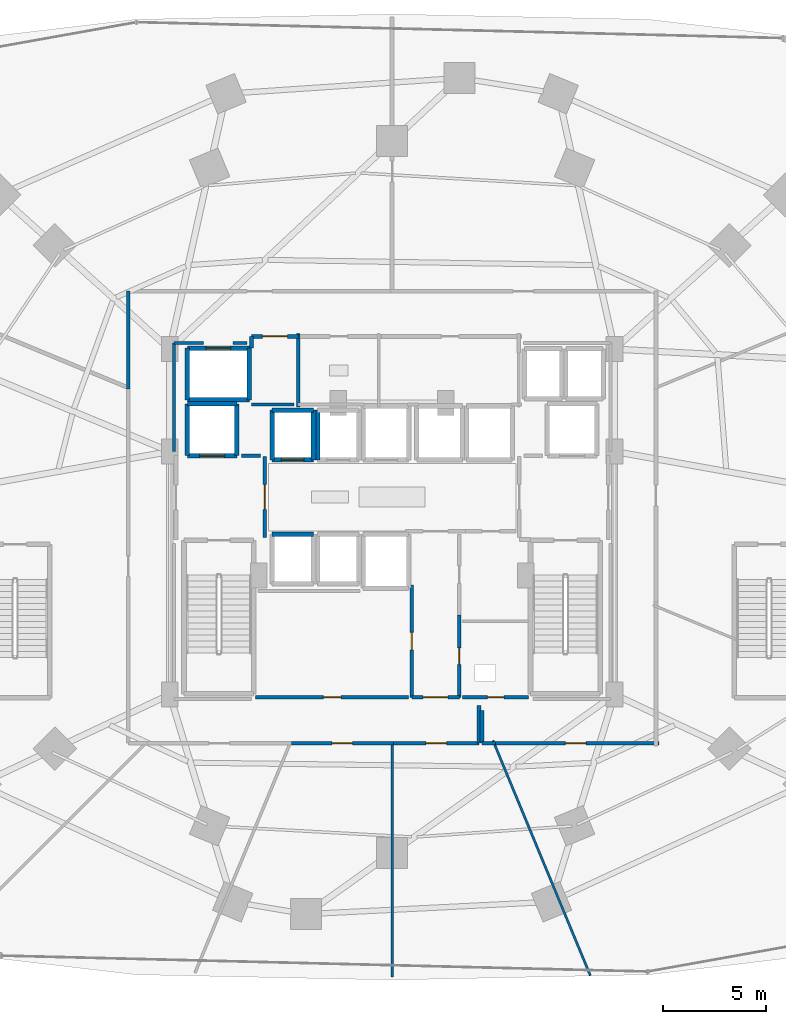
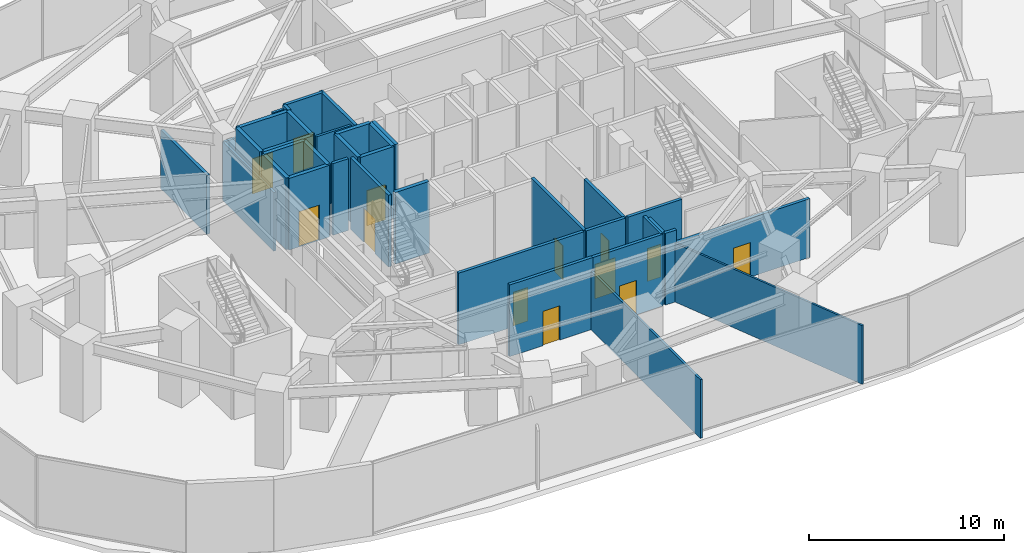
# One storey, part 22 of 27: 37 walls, 13 doors, 13 openings.
"""IFC4 building model written with IfcOpenShell, lengths in metres."""

import ifcopenshell
import ifcopenshell.guid

model = None  # the IFC model being written
_history = None  # IfcOwnerHistory: only IFC2X3 demands one
_inside = {}  # id of a spatial element -> (the spatial element, [elements in it])
_under = {}  # id of a project, library or spatial element -> (it, [spatial elements below it])
_declared = {}  # id of a project -> (the project, [libraries it declares])
_typed = {}  # id of a type object -> (the type object, [elements of that type])
_made_of = {}  # id of a material, layer set ... -> (it, [elements and type objects made of it])


def new_model(schema):
    """Start an empty IFC model of exactly this schema.

    Asked for "IFC4X3", IfcOpenShell would pick the latest addendum, in which some entities
    have other attributes; the version numbers below select the first issue.
    IFC2X3 requires an IfcOwnerHistory on every rooted entity: one is made here for all.
    """
    global model, _history
    if schema == "IFC4X3":
        model = ifcopenshell.file(schema_version=(4, 3, 0, 0))
    else:
        model = ifcopenshell.file(schema=schema)
    _inside.clear()
    _under.clear()
    _declared.clear()
    _typed.clear()
    _made_of.clear()
    _history = None
    if model.schema == "IFC2X3":
        org = make("IfcOrganization", Name="unknown")
        user = make(
            "IfcPersonAndOrganization",
            ThePerson=make("IfcPerson", FamilyName="unknown"),
            TheOrganization=org,
        )
        app = make(
            "IfcApplication",
            ApplicationDeveloper=org,
            Version="unknown",
            ApplicationFullName="unknown",
            ApplicationIdentifier="unknown",
        )
        _history = make(
            "IfcOwnerHistory",
            OwningUser=user,
            OwningApplication=app,
            ChangeAction="ADDED",
            CreationDate=0,
        )
    return model


def make(cls, **values):
    """One entity of the class cls with the attributes given. An attribute that is None is left unset."""
    return model.create_entity(
        cls, **{name: value for name, value in values.items() if value is not None}
    )


def rooted(cls, **values):
    """An entity with a GlobalId (a new one), such as an element, a storey or a relation."""
    return make(cls, GlobalId=ifcopenshell.guid.new(), OwnerHistory=_history, **values)


def si_unit(unit_type, name, prefix=None):
    """IfcSIUnit, for example si_unit("LENGTHUNIT", "METRE", prefix="MILLI")."""
    return make("IfcSIUnit", UnitType=unit_type, Prefix=prefix, Name=name)


def assignment(units):
    """IfcUnitAssignment: the units of a project."""
    return None if units is None else make("IfcUnitAssignment", Units=units)


def point(xyz):
    """IfcCartesianPoint."""
    return None if xyz is None else make("IfcCartesianPoint", Coordinates=xyz)


def direction(xyz):
    """IfcDirection."""
    return None if xyz is None else make("IfcDirection", DirectionRatios=xyz)


def frame(location, z_axis=None, x_axis=None):
    """IfcAxis2Placement3D, a coordinate frame: its origin and axes. An axis left out is left unset."""
    return make(
        "IfcAxis2Placement3D",
        Location=point(location),
        Axis=direction(z_axis),
        RefDirection=direction(x_axis),
    )


def frame_2d(location, x_axis=None):
    """IfcAxis2Placement2D, a coordinate frame in the plane: its origin and x axis."""
    return make(
        "IfcAxis2Placement2D", Location=point(location), RefDirection=direction(x_axis)
    )


def origin():
    """The frame at (0, 0, 0) with its axes left unset."""
    return frame((0.0, 0.0, 0.0))


def place(relative_to, where):
    """IfcLocalPlacement: puts the frame where relative to a parent placement (None: the world)."""
    return make(
        "IfcLocalPlacement", PlacementRelTo=relative_to, RelativePlacement=where
    )


def context(
    kind, dimensions, precision=None, world=None, true_north=None, identifier=None
):
    """IfcGeometricRepresentationContext, for example the 3D "Model" context."""
    return make(
        "IfcGeometricRepresentationContext",
        ContextIdentifier=identifier,
        ContextType=kind,
        CoordinateSpaceDimension=dimensions,
        Precision=precision,
        WorldCoordinateSystem=world,
        TrueNorth=true_north,
    )


def subcontext(parent, identifier, kind, view, scale=None):
    """IfcGeometricRepresentationSubContext, for example "Body" below "Model"."""
    return make(
        "IfcGeometricRepresentationSubContext",
        ContextIdentifier=identifier,
        ContextType=kind,
        ParentContext=parent,
        TargetScale=scale,
        TargetView=view,
    )


def project(units=None, contexts=None):
    """IfcProject with its units and contexts."""
    return rooted(
        "IfcProject",
        Name="project",
        RepresentationContexts=contexts,
        UnitsInContext=assignment(units),
    )


def spatial(cls, under=None, at=None, **own):
    """A site, building, storey or space (cls), placed at a placement, below another one or the project."""
    s = rooted(cls, ObjectPlacement=at, **own)
    if under is not None:
        _under.setdefault(under.id(), (under, []))[1].append(s)
    return s


def profile(cls, at=None, kind="AREA", **sizes):
    """A parametric profile (cls). Its sizes go by their IFC names, for example OverallWidth=200.0."""
    return make(cls, ProfileType=kind, Position=at, **sizes)


def rectangle(**sizes):
    """IfcRectangleProfileDef."""
    return profile("IfcRectangleProfileDef", **sizes)


def extrude(swept, where, along, depth):
    """IfcExtrudedAreaSolid: the profile swept, set in the frame where, extruded along a direction by depth."""
    return make(
        "IfcExtrudedAreaSolid",
        SweptArea=swept,
        Position=where,
        ExtrudedDirection=direction(along),
        Depth=depth,
    )


def shape(context_of_items, identifier, shape_type, items):
    """IfcShapeRepresentation: the items that make up one representation, for example the "Body"."""
    return make(
        "IfcShapeRepresentation",
        ContextOfItems=context_of_items,
        RepresentationIdentifier=identifier,
        RepresentationType=shape_type,
        Items=items,
    )


def material(Name=None, Category=None):
    """IfcMaterial."""
    return make("IfcMaterial", Name=Name, Category=Category)


def layer(
    of_material, thickness, ventilated=None, Name=None, Category=None, Priority=None
):
    """IfcMaterialLayer: one layer of a wall or slab, of a material (None: an air gap)."""
    return make(
        "IfcMaterialLayer",
        Material=of_material,
        LayerThickness=thickness,
        IsVentilated=ventilated,
        Name=Name,
        Category=Category,
        Priority=Priority,
    )


def layer_set(layers, Name=None):
    """IfcMaterialLayerSet."""
    return make("IfcMaterialLayerSet", MaterialLayers=layers, LayerSetName=Name)


def made_of(thing, what):
    """Note that an element or type object is made of a material, layer set ...; save() writes the relation."""
    if what is not None:
        _made_of.setdefault(what.id(), (what, []))[1].append(thing)
    return thing


def type_object(cls, material=None, **own):
    """A type object (cls), such as IfcWallType, which elements share."""
    return made_of(rooted(cls, **own), material)


def element(
    cls,
    number,
    at=None,
    inside=None,
    cuts=None,
    type_object=None,
    material=None,
    context=None,
    identifier="Body",
    shape_type=None,
    held_by="IfcProductDefinitionShape",
    body=None,
    shapes=None,
    **own,
):
    """One element of the class cls, such as IfcWall. Its Tag is "e" and its number.

    at: its placement. inside: the storey or other place that contains it. cuts: it is an
    opening in that element (IfcRelVoidsElement). A single representation is given by context,
    identifier, shape_type and body (its items); several are given by shapes. held_by: the class
    of the entity that holds the representations. save() writes the other relations.
    """
    e = rooted(cls, Tag="e%d" % number, ObjectPlacement=at, **own)
    if body is not None:
        shapes = [shape(context, identifier, shape_type, body)]
    if shapes is not None:
        e.Representation = make(held_by, Representations=shapes)
    if inside is not None:
        _inside.setdefault(inside.id(), (inside, []))[1].append(e)
    if cuts is not None:
        rooted(
            "IfcRelVoidsElement", RelatingBuildingElement=cuts, RelatedOpeningElement=e
        )
    if type_object is not None:
        _typed.setdefault(type_object.id(), (type_object, []))[1].append(e)
    return made_of(e, material)


def fill(opening, filler):
    """IfcRelFillsElement: the door or window that sits in an opening."""
    return rooted(
        "IfcRelFillsElement",
        RelatingOpeningElement=opening,
        RelatedBuildingElement=filler,
    )


def aggregate(whole, parts):
    """IfcRelAggregates: a whole, such as a stair, and the parts it consists of."""
    return rooted("IfcRelAggregates", RelatingObject=whole, RelatedObjects=parts)


def save(model, path):
    """Write the relations noted so far, then the file.

    IfcRelAggregates (storeys below a building ...), IfcRelContainedInSpatialStructure (elements
    in a storey), IfcRelDefinesByType, IfcRelAssociatesMaterial and IfcRelDeclares: one each for
    every whole, place, type object, material and project.
    """
    for whole, parts in _under.values():
        aggregate(whole, parts)
    for where, things in _inside.values():
        rooted(
            "IfcRelContainedInSpatialStructure",
            RelatedElements=things,
            RelatingStructure=where,
        )
    for kind, things in _typed.values():
        rooted("IfcRelDefinesByType", RelatedObjects=things, RelatingType=kind)
    for what, things in _made_of.values():
        rooted("IfcRelAssociatesMaterial", RelatedObjects=things, RelatingMaterial=what)
    for by, libraries in _declared.values():
        rooted("IfcRelDeclares", RelatingContext=by, RelatedDefinitions=libraries)
    model.write(path)


model = new_model("IFC4")

# Units and contexts
model_context = context("Model", 3, precision=1e-05, world=origin(), true_north=direction((0.0, 1.0)))
body_context = subcontext(model_context, "Body", "Model", "MODEL_VIEW")
ifc_project = project(units=[si_unit("LENGTHUNIT", "METRE"), si_unit("AREAUNIT", "SQUARE_METRE"), si_unit("VOLUMEUNIT", "CUBIC_METRE"), si_unit("PLANEANGLEUNIT", "RADIAN"), si_unit("MASSUNIT", "GRAM", prefix="KILO")], contexts=[model_context])

# Site, building, storey
site_placement = place(None, origin())
site = spatial("IfcSite", under=ifc_project, at=site_placement, CompositionType="ELEMENT")
building_placement = place(site_placement, origin())
building = spatial("IfcBuilding", under=site, at=building_placement, Name="Vorneva Point Tower", CompositionType="ELEMENT")
storey_placement = place(building_placement, frame((0.0, 0.0, 4.800048828125)))
storey = spatial("IfcBuildingStorey", under=building, at=storey_placement, Name="L01", CompositionType="ELEMENT", Elevation=4.800048828125)

# Wall, opening, door
ifc_material_1 = material(Name="Concrete B60 (C50/60)", Category="concrete")
ifc_layer_1 = layer(ifc_material_1, 0.5)
ifc_layer_set_1 = layer_set([ifc_layer_1], Name="Concrete B60 (C50/60)")
wall_type_1 = type_object("IfcWallType", Name="WL-CORE-500", PredefinedType="SHEAR", material=ifc_layer_set_1)
wall_1_placement = place(storey_placement, frame((28.10009765625, 28.0, 0.0), z_axis=(0.0, 0.0, 1.0), x_axis=(1.0, 0.0, 0.0)))
wall_1 = element("IfcWall", 1, at=wall_1_placement, inside=storey, type_object=wall_type_1, Name="L01 Lift FFL1 Shaft Wall -Y", PredefinedType="SHEAR", context=body_context, shape_type="SweptSolid", body=[
    extrude(rectangle(XDim=2.39990234375, YDim=0.219970703125, at=frame_2d((1.199951171875, 0.0))), origin(), (0.0, 0.0, 1.0), 4.47998046875),
])
opening_1_placement = place(wall_1_placement, frame((0.60009765625, 0.0, 0.0)))
opening_1 = element("IfcOpeningElement", 2, at=opening_1_placement, cuts=wall_1, Name="Opening LD-02", PredefinedType="OPENING", context=body_context, shape_type="SweptSolid", body=[
    extrude(rectangle(XDim=1.199951171875, YDim=2.199951171875, at=frame_2d((0.60009765625, 1.10009765625))), frame((0.0, 0.125, 0.0), z_axis=(0.0, -1.0, 0.0), x_axis=(1.0, 0.0, 0.0)), (0.0, 0.0, 1.0), 0.249755859375),
])
ifc_material_2 = material(Name="Brushed stainless steel S304", Category="steel")
door_type_1 = type_object("IfcDoorType", Name="LD-FIRE-1200", OperationType="SLIDING_TO_LEFT", PredefinedType="DOOR", material=ifc_material_2)
door_1_placement = place(opening_1_placement, origin())
door_1 = element("IfcDoor", 3, at=door_1_placement, inside=storey, type_object=door_type_1, Name="L01 Lift FFL1 Sliding Landing Door", OperationType="SLIDING_TO_LEFT", OverallHeight=2.199951171875, OverallWidth=1.199951171875, PredefinedType="DOOR", context=body_context, shape_type="SweptSolid", body=[
    extrude(rectangle(XDim=1.199951171875, YDim=2.199951171875, at=frame_2d((0.60009765625, 1.10009765625))), frame((0.0, 0.02490234375, 0.0), z_axis=(0.0, -1.0, 0.0), x_axis=(1.0, 0.0, 0.0)), (0.0, 0.0, 1.0), 0.050048828125),
])
fill(opening_1, door_1)

# Walls
wall_2_placement = place(storey_placement, frame((30.5, 28.0, 0.0), z_axis=(0.0, 0.0, 1.0), x_axis=(0.0, 1.0, 0.0)))
element("IfcWall", 4, at=wall_2_placement, inside=storey, type_object=wall_type_1, Name="L01 Lift FFL1 Shaft Wall +X", PredefinedType="SHEAR", context=body_context, shape_type="SweptSolid", body=[
    extrude(rectangle(XDim=2.5, YDim=0.219970703125, at=frame_2d((1.25, 0.0))), origin(), (0.0, 0.0, 1.0), 4.47998046875),
])
wall_3_placement = place(storey_placement, frame((30.5, 30.5, 0.0), z_axis=(0.0, 0.0, 1.0), x_axis=(-1.0, 0.0, 0.0)))
element("IfcWall", 5, at=wall_3_placement, inside=storey, type_object=wall_type_1, Name="L01 Lift FFL1 Shaft Wall +Y", PredefinedType="SHEAR", context=body_context, shape_type="SweptSolid", body=[
    extrude(rectangle(XDim=2.39990234375, YDim=0.219970703125, at=frame_2d((1.199951171875, 0.0))), origin(), (0.0, 0.0, 1.0), 4.47998046875),
])
wall_4_placement = place(storey_placement, frame((28.10009765625, 30.5, 0.0), z_axis=(0.0, 0.0, 1.0), x_axis=(0.0, -1.0, 0.0)))
element("IfcWall", 6, at=wall_4_placement, inside=storey, type_object=wall_type_1, Name="L01 Lift FFL1 Shaft Wall -X", PredefinedType="SHEAR", context=body_context, shape_type="SweptSolid", body=[
    extrude(rectangle(XDim=2.5, YDim=0.219970703125, at=frame_2d((1.25, 0.0))), origin(), (0.0, 0.0, 1.0), 4.47998046875),
])
ifc_material_3 = material(Name="Fire-rated acoustic gypsum stud partition", Category="gypsum")
ifc_layer_2 = layer(ifc_material_3, 0.110107421875)
ifc_layer_set_2 = layer_set([ifc_layer_2], Name="Fire-rated acoustic gypsum stud partition")
wall_type_2 = type_object("IfcWallType", Name="WL-PART-110", PredefinedType="PARTITIONING", material=ifc_layer_set_2)
wall_5_placement = place(storey_placement, frame((47.58056640625, 2.87158203125, 0.0), z_axis=(0.0, 0.0, 1.0), x_axis=(-0.382723619964, 0.923862885239, 0.0)))
element("IfcWall", 7, at=wall_5_placement, inside=storey, type_object=wall_type_2, Name="L01 Interior Partition 043", PredefinedType="PARTITIONING", context=body_context, shape_type="SweptSolid", body=[
    extrude(rectangle(XDim=12.293701171875, YDim=0.110107421875, at=frame_2d((6.14697265625, 0.0))), origin(), (0.0, 0.0, 1.0), 3.671875),
])
ifc_layer_3 = layer(ifc_material_3, 0.125)
ifc_layer_set_3 = layer_set([ifc_layer_3], Name="Fire-rated acoustic gypsum stud partition")
wall_type_3 = type_object("IfcWallType", Name="WL-PART-125", PredefinedType="PARTITIONING", material=ifc_layer_set_3)
wall_6_placement = place(storey_placement, frame((38.0, 2.805908203125, 0.0), z_axis=(0.0, 0.0, 1.0), x_axis=(0.0, 1.0, 0.0)))
element("IfcWall", 8, at=wall_6_placement, inside=storey, type_object=wall_type_3, Name="L01 Interior Partition 042", PredefinedType="PARTITIONING", context=body_context, shape_type="SweptSolid", body=[
    extrude(rectangle(XDim=11.294189453125, YDim=0.125, at=frame_2d((5.64697265625, 0.0))), origin(), (0.0, 0.0, 1.0), 3.671875),
])
ifc_layer_4 = layer(ifc_material_3, 0.139892578125)
ifc_layer_set_4 = layer_set([ifc_layer_4], Name="Fire-rated acoustic gypsum stud partition")
wall_type_4 = type_object("IfcWallType", Name="WL-PART-140", PredefinedType="PARTITIONING", material=ifc_layer_set_4)
wall_7_placement = place(storey_placement, frame((31.199951171875, 30.47998046875, 0.0), z_axis=(0.0, 0.0, 1.0), x_axis=(1.0, 0.0, 0.0)))
element("IfcWall", 9, at=wall_7_placement, inside=storey, type_object=wall_type_4, Name="L01 Interior Closure Partition 048", PredefinedType="PARTITIONING", context=body_context, shape_type="SweptSolid", body=[
    extrude(rectangle(XDim=2.050048828125, YDim=0.139892578125, at=frame_2d((1.02490234375, 0.0))), origin(), (0.0, 0.0, 1.0), 4.47998046875),
])
wall_8_placement = place(storey_placement, frame((27.449951171875, 28.196044921875, 0.0), z_axis=(0.0, 0.0, 1.0), x_axis=(0.0, 1.0, 0.0)))
element("IfcWall", 10, at=wall_8_placement, inside=storey, type_object=wall_type_4, Name="L01 Interior Closure Partition 060", PredefinedType="PARTITIONING", context=body_context, shape_type="SweptSolid", body=[
    extrude(rectangle(XDim=5.25390625, YDim=0.139892578125, at=frame_2d((2.626953125, 0.0))), origin(), (0.0, 0.0, 1.0), 3.671875),
])
wall_9_placement = place(storey_placement, frame((27.449951171875, 33.449951171875, 0.0), z_axis=(0.0, 0.0, 1.0), x_axis=(1.0, 0.0, 0.0)))
element("IfcWall", 11, at=wall_9_placement, inside=storey, type_object=wall_type_4, Name="L01 Interior Closure Partition 061", PredefinedType="PARTITIONING", context=body_context, shape_type="SweptSolid", body=[
    extrude(rectangle(XDim=1.444091796875, YDim=0.139892578125, at=frame_2d((0.72216796875, 0.0))), origin(), (0.0, 0.0, 1.0), 3.671875),
])
wall_10_placement = place(storey_placement, frame((30.305908203125, 33.449951171875, 0.0), z_axis=(0.0, 0.0, 1.0), x_axis=(1.0, 0.0, 0.0)))
element("IfcWall", 12, at=wall_10_placement, inside=storey, type_object=wall_type_4, Name="L01 Interior Closure Partition 062", PredefinedType="PARTITIONING", context=body_context, shape_type="SweptSolid", body=[
    extrude(rectangle(XDim=0.674072265625, YDim=0.139892578125, at=frame_2d((0.3369140625, 0.0))), origin(), (0.0, 0.0, 1.0), 4.47998046875),
])

# Wall, opening, door
ifc_material_4 = material(Name="Autoclaved aerated concrete blockwork", Category="masonry")
ifc_layer_5 = layer(ifc_material_4, 0.179931640625)
ifc_layer_set_5 = layer_set([ifc_layer_5], Name="Autoclaved aerated concrete blockwork")
wall_type_5 = type_object("IfcWallType", Name="WL-PART-180", PredefinedType="PARTITIONING", material=ifc_layer_set_5)
wall_11_placement = place(storey_placement, frame((31.85009765625, 24.044921875, 0.0), z_axis=(0.0, 0.0, 1.0), x_axis=(0.0, 1.0, 0.0)))
wall_11 = element("IfcWall", 13, at=wall_11_placement, inside=storey, type_object=wall_type_5, Name="L01 Interior Partition 001", PredefinedType="PARTITIONING", context=body_context, shape_type="SweptSolid", body=[
    extrude(rectangle(XDim=3.91015625, YDim=0.179931640625, at=frame_2d((1.955078125, 0.0))), origin(), (0.0, 0.0, 1.0), 4.47998046875),
])
opening_2_placement = place(wall_11_placement, frame((1.35498046875, 0.0, 0.0)))
opening_2 = element("IfcOpeningElement", 14, at=opening_2_placement, cuts=wall_11, Name="Opening FD-02", PredefinedType="OPENING", context=body_context, shape_type="SweptSolid", body=[
    extrude(rectangle(XDim=1.199951171875, YDim=2.14990234375, at=frame_2d((0.60009765625, 1.074951171875))), frame((0.0, 0.10498046875, 0.0), z_axis=(0.0, -1.0, 0.0), x_axis=(1.0, 0.0, 0.0)), (0.0, 0.0, 1.0), 0.209716796875),
])
ifc_material_5 = material(Name="Fire-rated powder-coated steel", Category="steel")
door_type_2 = type_object("IfcDoorType", Name="DR-FFL-1200", OperationType="NOTDEFINED", PredefinedType="DOOR", material=ifc_material_5)
door_2_placement = place(opening_2_placement, origin())
door_2 = element("IfcDoor", 15, at=door_2_placement, inside=storey, type_object=door_type_2, Name="L01 Door West Firefighting Lobby / Central Lift Lobby", OperationType="SINGLE_SWING_RIGHT", OverallHeight=2.14990234375, OverallWidth=1.199951171875, PredefinedType="DOOR", context=body_context, shape_type="SweptSolid", body=[
    extrude(rectangle(XDim=1.199951171875, YDim=2.14990234375, at=frame_2d((0.60009765625, 1.074951171875))), frame((0.0, 0.02490234375, 0.0), z_axis=(0.0, -1.0, 0.0), x_axis=(1.0, 0.0, 0.0)), (0.0, 0.0, 1.0), 0.050048828125),
])
fill(opening_2, door_2)

# Wall
wall_12_placement = place(storey_placement, frame((33.469970703125, 30.340087890625, 0.0), z_axis=(0.0, 0.0, 1.0), x_axis=(0.0, 1.0, 0.0)))
element("IfcWall", 16, at=wall_12_placement, inside=storey, type_object=wall_type_5, Name="L01 Interior Partition 006", PredefinedType="PARTITIONING", context=body_context, shape_type="SweptSolid", body=[
    extrude(rectangle(XDim=3.559814453125, YDim=0.179931640625, at=frame_2d((1.77978515625, 0.0))), origin(), (0.0, 0.0, 1.0), 4.47998046875),
])

# Wall, opening, door
wall_13_placement = place(storey_placement, frame((33.469970703125, 33.760009765625, 0.0), z_axis=(0.0, 0.0, 1.0), x_axis=(-1.0, 0.0, 0.0)))
wall_13 = element("IfcWall", 17, at=wall_13_placement, inside=storey, type_object=wall_type_5, Name="L01 Interior Partition 007", PredefinedType="PARTITIONING", context=body_context, shape_type="SweptSolid", body=[
    extrude(rectangle(XDim=2.27001953125, YDim=0.179931640625, at=frame_2d((1.135009765625, 0.0))), origin(), (0.0, 0.0, 1.0), 4.47998046875),
])
opening_3_placement = place(wall_13_placement, frame((0.534912109375, 0.0, 0.0)))
opening_3 = element("IfcOpeningElement", 18, at=opening_3_placement, cuts=wall_13, Name="Opening FD-02", PredefinedType="OPENING", context=body_context, shape_type="SweptSolid", body=[
    extrude(rectangle(XDim=1.199951171875, YDim=2.14990234375, at=frame_2d((0.60009765625, 1.074951171875))), frame((0.0, 0.10498046875, 0.0), z_axis=(0.0, -1.0, 0.0), x_axis=(1.0, 0.0, 0.0)), (0.0, 0.0, 1.0), 0.209716796875),
])
door_3_placement = place(opening_3_placement, origin())
door_3 = element("IfcDoor", 19, at=door_3_placement, inside=storey, type_object=door_type_2, Name="L01 Door Service Lift Lobby / L01 Circulation Corridor", OperationType="SINGLE_SWING_RIGHT", OverallHeight=2.14990234375, OverallWidth=1.199951171875, PredefinedType="DOOR", context=body_context, shape_type="SweptSolid", body=[
    extrude(rectangle(XDim=1.199951171875, YDim=2.14990234375, at=frame_2d((0.60009765625, 1.074951171875))), frame((0.0, 0.02490234375, 0.0), z_axis=(0.0, -1.0, 0.0), x_axis=(1.0, 0.0, 0.0)), (0.0, 0.0, 1.0), 0.050048828125),
])
fill(opening_3, door_3)

# Wall
wall_14_placement = place(storey_placement, frame((31.199951171875, 33.760009765625, 0.0), z_axis=(0.0, 0.0, 1.0), x_axis=(0.0, -1.0, 0.0)))
element("IfcWall", 20, at=wall_14_placement, inside=storey, type_object=wall_type_5, Name="L01 Interior Partition 008", PredefinedType="PARTITIONING", context=body_context, shape_type="SweptSolid", body=[
    extrude(rectangle(XDim=0.56005859375, YDim=0.179931640625, at=frame_2d((0.280029296875, 0.0))), origin(), (0.0, 0.0, 1.0), 4.47998046875),
])

# Wall, opening, door
wall_15_placement = place(storey_placement, frame((41.25, 16.320068359375, 0.0), z_axis=(0.0, 0.0, 1.0), x_axis=(0.0, 1.0, 0.0)))
wall_15 = element("IfcWall", 21, at=wall_15_placement, inside=storey, type_object=wall_type_5, Name="L01 Interior Partition 011", PredefinedType="PARTITIONING", context=body_context, shape_type="SweptSolid", body=[
    extrude(rectangle(XDim=3.98486328125, YDim=0.179931640625, at=frame_2d((1.992431640625, 0.0))), origin(), (0.0, 0.0, 1.0), 4.47998046875),
])
opening_4_placement = place(wall_15_placement, frame((1.592529296875, 0.0, 0.0)))
opening_4 = element("IfcOpeningElement", 22, at=opening_4_placement, cuts=wall_15, Name="Opening RD-01", PredefinedType="OPENING", context=body_context, shape_type="SweptSolid", body=[
    extrude(rectangle(XDim=0.800048828125, YDim=2.050048828125, at=frame_2d((0.39990234375, 1.02490234375))), frame((0.0, 0.10498046875, 0.0), z_axis=(0.0, -1.0, 0.0), x_axis=(1.0, 0.0, 0.0)), (0.0, 0.0, 1.0), 0.209716796875),
])
door_type_3 = type_object("IfcDoorType", Name="DR-RSR-800", OperationType="SINGLE_SWING_LEFT", PredefinedType="DOOR", material=ifc_material_5)
door_4_placement = place(opening_4_placement, origin())
door_4 = element("IfcDoor", 23, at=door_4_placement, inside=storey, type_object=door_type_3, Name="L01 Door Core Service Lobby / Electrical Riser", OperationType="SINGLE_SWING_LEFT", OverallHeight=2.050048828125, OverallWidth=0.800048828125, PredefinedType="DOOR", context=body_context, shape_type="SweptSolid", body=[
    extrude(rectangle(XDim=0.800048828125, YDim=2.050048828125, at=frame_2d((0.39990234375, 1.02490234375))), frame((0.0, 0.02490234375, 0.0), z_axis=(0.0, -1.0, 0.0), x_axis=(1.0, 0.0, 0.0)), (0.0, 0.0, 1.0), 0.050048828125),
])
fill(opening_4, door_4)

wall_16_placement = place(storey_placement, frame((38.949951171875, 21.7548828125, 0.0), z_axis=(0.0, 0.0, 1.0), x_axis=(0.0, -1.0, 0.0)))
wall_16 = element("IfcWall", 24, at=wall_16_placement, inside=storey, type_object=wall_type_5, Name="L01 Interior Partition 013", PredefinedType="PARTITIONING", context=body_context, shape_type="SweptSolid", body=[
    extrude(rectangle(XDim=5.434814453125, YDim=0.179931640625, at=frame_2d((2.71728515625, 0.0))), origin(), (0.0, 0.0, 1.0), 4.47998046875),
])
opening_5_placement = place(wall_16_placement, frame((2.29248046875, 0.0, 0.0)))
opening_5 = element("IfcOpeningElement", 25, at=opening_5_placement, cuts=wall_16, Name="Opening ID-02", PredefinedType="OPENING", context=body_context, shape_type="SweptSolid", body=[
    extrude(rectangle(XDim=0.85009765625, YDim=2.10009765625, at=frame_2d((0.425048828125, 1.050048828125))), frame((0.0, 0.10498046875, 0.0), z_axis=(0.0, -1.0, 0.0), x_axis=(1.0, 0.0, 0.0)), (0.0, 0.0, 1.0), 0.209716796875),
])
ifc_material_6 = material(Name="Engineered oak fire-rated door leaf", Category="wood")
door_type_4 = type_object("IfcDoorType", Name="DR-BATH-850", OperationType="NOTDEFINED", PredefinedType="DOOR", material=ifc_material_6)
door_5_placement = place(opening_5_placement, origin())
door_5 = element("IfcDoor", 26, at=door_5_placement, inside=storey, type_object=door_type_4, Name="L01 Door Core Service Lobby / Floor Storage Room", OperationType="SINGLE_SWING_LEFT", OverallHeight=2.10009765625, OverallWidth=0.85009765625, PredefinedType="DOOR", context=body_context, shape_type="SweptSolid", body=[
    extrude(rectangle(XDim=0.85009765625, YDim=2.10009765625, at=frame_2d((0.425048828125, 1.050048828125))), frame((0.0, 0.02490234375, 0.0), z_axis=(0.0, -1.0, 0.0), x_axis=(1.0, 0.0, 0.0)), (0.0, 0.0, 1.0), 0.050048828125),
])
fill(opening_5, door_5)

wall_17_placement = place(storey_placement, frame((38.949951171875, 16.320068359375, 0.0), z_axis=(0.0, 0.0, 1.0), x_axis=(1.0, 0.0, 0.0)))
wall_17 = element("IfcWall", 27, at=wall_17_placement, inside=storey, type_object=wall_type_5, Name="L01 Interior Partition 014", PredefinedType="PARTITIONING", context=body_context, shape_type="SweptSolid", body=[
    extrude(rectangle(XDim=2.300048828125, YDim=0.179931640625, at=frame_2d((1.14990234375, 0.0))), origin(), (0.0, 0.0, 1.0), 4.47998046875),
])
opening_6_placement = place(wall_17_placement, frame((0.550048828125, 0.0, 0.0)))
opening_6 = element("IfcOpeningElement", 28, at=opening_6_placement, cuts=wall_17, Name="Opening FD-02", PredefinedType="OPENING", context=body_context, shape_type="SweptSolid", body=[
    extrude(rectangle(XDim=1.199951171875, YDim=2.14990234375, at=frame_2d((0.60009765625, 1.074951171875))), frame((0.0, 0.10498046875, 0.0), z_axis=(0.0, -1.0, 0.0), x_axis=(1.0, 0.0, 0.0)), (0.0, 0.0, 1.0), 0.209716796875),
])
door_6_placement = place(opening_6_placement, origin())
door_6 = element("IfcDoor", 29, at=door_6_placement, inside=storey, type_object=door_type_2, Name="L01 Door Core Service Lobby / L01 Circulation Corridor", OperationType="SINGLE_SWING_RIGHT", OverallHeight=2.14990234375, OverallWidth=1.199951171875, PredefinedType="DOOR", context=body_context, shape_type="SweptSolid", body=[
    extrude(rectangle(XDim=1.199951171875, YDim=2.14990234375, at=frame_2d((0.60009765625, 1.074951171875))), frame((0.0, 0.02490234375, 0.0), z_axis=(0.0, -1.0, 0.0), x_axis=(1.0, 0.0, 0.0)), (0.0, 0.0, 1.0), 0.050048828125),
])
fill(opening_6, door_6)

wall_18_placement = place(storey_placement, frame((41.39990234375, 16.320068359375, 0.0), z_axis=(0.0, 0.0, 1.0), x_axis=(1.0, 0.0, 0.0)))
wall_18 = element("IfcWall", 30, at=wall_18_placement, inside=storey, type_object=wall_type_5, Name="L01 Interior Partition 016", PredefinedType="PARTITIONING", context=body_context, shape_type="SweptSolid", body=[
    extrude(rectangle(XDim=3.2001953125, YDim=0.179931640625, at=frame_2d((1.60009765625, 0.0))), origin(), (0.0, 0.0, 1.0), 4.47998046875),
])
opening_7_placement = place(wall_18_placement, frame((1.199951171875, 0.0, 0.0)))
opening_7 = element("IfcOpeningElement", 31, at=opening_7_placement, cuts=wall_18, Name="Opening RD-01", PredefinedType="OPENING", context=body_context, shape_type="SweptSolid", body=[
    extrude(rectangle(XDim=0.800048828125, YDim=2.050048828125, at=frame_2d((0.39990234375, 1.02490234375))), frame((0.0, 0.10498046875, 0.0), z_axis=(0.0, -1.0, 0.0), x_axis=(1.0, 0.0, 0.0)), (0.0, 0.0, 1.0), 0.209716796875),
])
door_7_placement = place(opening_7_placement, origin())
door_7 = element("IfcDoor", 32, at=door_7_placement, inside=storey, type_object=door_type_3, Name="L01 Door Electrical Riser / L01 Circulation Corridor", OperationType="SINGLE_SWING_LEFT", OverallHeight=2.050048828125, OverallWidth=0.800048828125, PredefinedType="DOOR", context=body_context, shape_type="SweptSolid", body=[
    extrude(rectangle(XDim=0.800048828125, YDim=2.050048828125, at=frame_2d((0.39990234375, 1.02490234375))), frame((0.0, 0.02490234375, 0.0), z_axis=(0.0, -1.0, 0.0), x_axis=(1.0, 0.0, 0.0)), (0.0, 0.0, 1.0), 0.050048828125),
])
fill(opening_7, door_7)

wall_19_placement = place(storey_placement, frame((31.39990234375, 16.320068359375, 0.0), z_axis=(0.0, 0.0, 1.0), x_axis=(1.0, 0.0, 0.0)))
wall_19 = element("IfcWall", 33, at=wall_19_placement, inside=storey, type_object=wall_type_5, Name="L01 Interior Partition 021", PredefinedType="PARTITIONING", context=body_context, shape_type="SweptSolid", body=[
    extrude(rectangle(XDim=7.400146484375, YDim=0.179931640625, at=frame_2d((3.7001953125, 0.0))), origin(), (0.0, 0.0, 1.0), 4.47998046875),
])
opening_8_placement = place(wall_19_placement, frame((3.27490234375, 0.0, 0.0)))
opening_8 = element("IfcOpeningElement", 34, at=opening_8_placement, cuts=wall_19, Name="Opening ID-02", PredefinedType="OPENING", context=body_context, shape_type="SweptSolid", body=[
    extrude(rectangle(XDim=0.85009765625, YDim=2.10009765625, at=frame_2d((0.425048828125, 1.050048828125))), frame((0.0, 0.10498046875, 0.0), z_axis=(0.0, -1.0, 0.0), x_axis=(1.0, 0.0, 0.0)), (0.0, 0.0, 1.0), 0.209716796875),
])
door_8_placement = place(opening_8_placement, origin())
door_8 = element("IfcDoor", 35, at=door_8_placement, inside=storey, type_object=door_type_4, Name="L01 Door Floor Storage Room / L01 Circulation Corridor", OperationType="SINGLE_SWING_RIGHT", OverallHeight=2.10009765625, OverallWidth=0.85009765625, PredefinedType="DOOR", context=body_context, shape_type="SweptSolid", body=[
    extrude(rectangle(XDim=0.85009765625, YDim=2.10009765625, at=frame_2d((0.425048828125, 1.050048828125))), frame((0.0, 0.02490234375, 0.0), z_axis=(0.0, -1.0, 0.0), x_axis=(1.0, 0.0, 0.0)), (0.0, 0.0, 1.0), 0.050048828125),
])
fill(opening_8, door_8)

# Wall
wall_20_placement = place(storey_placement, frame((25.25, 35.949951171875, 0.0), z_axis=(0.0, 0.0, 1.0), x_axis=(0.0, -1.0, 0.0)))
element("IfcWall", 36, at=wall_20_placement, inside=storey, type_object=wall_type_5, Name="L01 Interior Partition 025", PredefinedType="PARTITIONING", context=body_context, shape_type="SweptSolid", body=[
    extrude(rectangle(XDim=4.72900390625, YDim=0.179931640625, at=frame_2d((2.364501953125, 0.0))), origin(), (0.0, 0.0, 1.0), 3.671875),
])

# Wall, opening, door
wall_21_placement = place(storey_placement, frame((33.131103515625, 14.10009765625, 0.0), z_axis=(0.0, 0.0, 1.0), x_axis=(1.0, 0.0, 0.0)))
wall_21 = element("IfcWall", 37, at=wall_21_placement, inside=storey, type_object=wall_type_5, Name="L01 Interior Partition 029", PredefinedType="PARTITIONING", context=body_context, shape_type="SweptSolid", body=[
    extrude(rectangle(XDim=4.928955078125, YDim=0.179931640625, at=frame_2d((2.46435546875, 0.0))), origin(), (0.0, 0.0, 1.0), 4.47998046875),
])
opening_9_placement = place(wall_21_placement, frame((1.964599609375, 0.0, 0.0)))
opening_9 = element("IfcOpeningElement", 38, at=opening_9_placement, cuts=wall_21, Name="Opening UD-01", PredefinedType="OPENING", context=body_context, shape_type="SweptSolid", body=[
    extrude(rectangle(XDim=1.0, YDim=2.14990234375, at=frame_2d((0.5, 1.074951171875))), frame((0.0, 0.10498046875, 0.0), z_axis=(0.0, -1.0, 0.0), x_axis=(1.0, 0.0, 0.0)), (0.0, 0.0, 1.0), 0.209716796875),
])
door_type_5 = type_object("IfcDoorType", Name="DR-UNIT-1000", OperationType="NOTDEFINED", PredefinedType="DOOR", material=ifc_material_6)
door_9_placement = place(opening_9_placement, origin())
door_9 = element("IfcDoor", 39, at=door_9_placement, inside=storey, type_object=door_type_5, Name="L01 Door L01 Circulation Corridor / Harbour Restaurant L01", OperationType="SINGLE_SWING_LEFT", OverallHeight=2.14990234375, OverallWidth=1.0, PredefinedType="DOOR", context=body_context, shape_type="SweptSolid", body=[
    extrude(rectangle(XDim=1.0, YDim=2.14990234375, at=frame_2d((0.5, 1.074951171875))), frame((0.0, 0.02490234375, 0.0), z_axis=(0.0, -1.0, 0.0), x_axis=(1.0, 0.0, 0.0)), (0.0, 0.0, 1.0), 0.050048828125),
])
fill(opening_9, door_9)

# Walls
wall_22_placement = place(storey_placement, frame((42.340087890625, 15.678955078125, 0.0), z_axis=(0.0, 0.0, 1.0), x_axis=(0.0, -1.0, 0.0)))
element("IfcWall", 40, at=wall_22_placement, inside=storey, type_object=wall_type_5, Name="L01 Interior Partition 030", PredefinedType="PARTITIONING", context=body_context, shape_type="SweptSolid", body=[
    extrude(rectangle(XDim=1.578857421875, YDim=0.179931640625, at=frame_2d((0.78955078125, 0.0))), origin(), (0.0, 0.0, 1.0), 4.47998046875),
])
wall_23_placement = place(storey_placement, frame((42.340087890625, 14.10009765625, 0.0), z_axis=(0.0, 0.0, 1.0), x_axis=(1.0, 0.0, 0.0)))
element("IfcWall", 41, at=wall_23_placement, inside=storey, type_object=wall_type_5, Name="L01 Interior Partition 031", PredefinedType="PARTITIONING", context=body_context, shape_type="SweptSolid", body=[
    extrude(rectangle(XDim=0.65380859375, YDim=0.179931640625, at=frame_2d((0.326904296875, 0.0))), origin(), (0.0, 0.0, 1.0), 4.47998046875),
])

# Wall, opening, door
wall_24_placement = place(storey_placement, frame((38.06005859375, 14.10009765625, 0.0), z_axis=(0.0, 0.0, 1.0), x_axis=(1.0, 0.0, 0.0)))
wall_24 = element("IfcWall", 42, at=wall_24_placement, inside=storey, type_object=wall_type_5, Name="L01 Interior Partition 032", PredefinedType="PARTITIONING", context=body_context, shape_type="SweptSolid", body=[
    extrude(rectangle(XDim=4.139892578125, YDim=0.179931640625, at=frame_2d((2.06982421875, 0.0))), origin(), (0.0, 0.0, 1.0), 4.47998046875),
])
opening_10_placement = place(wall_24_placement, frame((1.570068359375, 0.0, 0.0)))
opening_10 = element("IfcOpeningElement", 43, at=opening_10_placement, cuts=wall_24, Name="Opening UD-01", PredefinedType="OPENING", context=body_context, shape_type="SweptSolid", body=[
    extrude(rectangle(XDim=1.0, YDim=2.14990234375, at=frame_2d((0.5, 1.074951171875))), frame((0.0, 0.10498046875, 0.0), z_axis=(0.0, -1.0, 0.0), x_axis=(1.0, 0.0, 0.0)), (0.0, 0.0, 1.0), 0.209716796875),
])
door_10_placement = place(opening_10_placement, origin())
door_10 = element("IfcDoor", 44, at=door_10_placement, inside=storey, type_object=door_type_5, Name="L01 Door L01 Circulation Corridor / Private Horizon Dining Room L01", OperationType="SINGLE_SWING_RIGHT", OverallHeight=2.14990234375, OverallWidth=1.0, PredefinedType="DOOR", context=body_context, shape_type="SweptSolid", body=[
    extrude(rectangle(XDim=1.0, YDim=2.14990234375, at=frame_2d((0.5, 1.074951171875))), frame((0.0, 0.02490234375, 0.0), z_axis=(0.0, -1.0, 0.0), x_axis=(1.0, 0.0, 0.0)), (0.0, 0.0, 1.0), 0.050048828125),
])
fill(opening_10, door_10)

# Wall
wall_25_placement = place(storey_placement, frame((42.199951171875, 14.10009765625, 0.0), z_axis=(0.0, 0.0, 1.0), x_axis=(0.0, 1.0, 0.0)))
element("IfcWall", 45, at=wall_25_placement, inside=storey, type_object=wall_type_5, Name="L01 Interior Partition 033", PredefinedType="PARTITIONING", context=body_context, shape_type="SweptSolid", body=[
    extrude(rectangle(XDim=1.81982421875, YDim=0.179931640625, at=frame_2d((0.909912109375, 0.0))), origin(), (0.0, 0.0, 1.0), 4.47998046875),
])

# Wall, opening, door
wall_26_placement = place(storey_placement, frame((42.85400390625, 14.10009765625, 0.0), z_axis=(0.0, 0.0, 1.0), x_axis=(1.0, 0.0, 0.0)))
wall_26 = element("IfcWall", 46, at=wall_26_placement, inside=storey, type_object=wall_type_5, Name="L01 Interior Partition 034", PredefinedType="PARTITIONING", context=body_context, shape_type="SweptSolid", body=[
    extrude(rectangle(XDim=8.035888671875, YDim=0.179931640625, at=frame_2d((4.01806640625, 0.0))), origin(), (0.0, 0.0, 1.0), 3.671875),
])
opening_11_placement = place(wall_26_placement, frame((3.51806640625, 0.0, 0.0)))
opening_11 = element("IfcOpeningElement", 47, at=opening_11_placement, cuts=wall_26, Name="Opening UD-01", PredefinedType="OPENING", context=body_context, shape_type="SweptSolid", body=[
    extrude(rectangle(XDim=1.0, YDim=2.14990234375, at=frame_2d((0.5, 1.074951171875))), frame((0.0, 0.10498046875, 0.0), z_axis=(0.0, -1.0, 0.0), x_axis=(1.0, 0.0, 0.0)), (0.0, 0.0, 1.0), 0.209716796875),
])
door_11_placement = place(opening_11_placement, origin())
door_11 = element("IfcDoor", 48, at=door_11_placement, inside=storey, type_object=door_type_5, Name="L01 Door L01 Circulation Corridor / Commercial Kitchen L01", OperationType="SINGLE_SWING_LEFT", OverallHeight=2.14990234375, OverallWidth=1.0, PredefinedType="DOOR", context=body_context, shape_type="SweptSolid", body=[
    extrude(rectangle(XDim=1.0, YDim=2.14990234375, at=frame_2d((0.5, 1.074951171875))), frame((0.0, 0.02490234375, 0.0), z_axis=(0.0, -1.0, 0.0), x_axis=(1.0, 0.0, 0.0)), (0.0, 0.0, 1.0), 0.050048828125),
])
fill(opening_11, door_11)

# Wall
wall_27_placement = place(storey_placement, frame((31.635009765625, 28.0, 0.0), z_axis=(0.0, 0.0, 1.0), x_axis=(-1.0, 0.0, 0.0)))
element("IfcWall", 49, at=wall_27_placement, inside=storey, type_object=wall_type_5, Name="L01 Interior Closure Partition 046", PredefinedType="PARTITIONING", context=body_context, shape_type="SweptSolid", body=[
    extrude(rectangle(XDim=0.9150390625, YDim=0.179931640625, at=frame_2d((0.45751953125, 0.0))), origin(), (0.0, 0.0, 1.0), 4.47998046875),
])

# Wall, opening, door
ifc_material_7 = material(Name="Concrete B50 (C40/50)", Category="concrete")
ifc_layer_6 = layer(ifc_material_7, 0.219970703125)
ifc_layer_set_6 = layer_set([ifc_layer_6], Name="Concrete B50 (C40/50)")
wall_type_6 = type_object("IfcWallType", Name="WL-SHFT-220", PredefinedType="SOLIDWALL", material=ifc_layer_set_6)
wall_28_placement = place(storey_placement, frame((32.199951171875, 27.800048828125, 0.0), z_axis=(0.0, 0.0, 1.0), x_axis=(1.0, 0.0, 0.0)))
wall_28 = element("IfcWall", 50, at=wall_28_placement, inside=storey, type_object=wall_type_6, Name="L01 Lift PL1 Shaft Wall -Y", PredefinedType="SOLIDWALL", context=body_context, shape_type="SweptSolid", body=[
    extrude(rectangle(XDim=2.0, YDim=0.219970703125, at=frame_2d((1.0, 0.0))), origin(), (0.0, 0.0, 1.0), 4.47998046875),
])
opening_12_placement = place(wall_28_placement, frame((0.449951171875, 0.0, 0.0)))
opening_12 = element("IfcOpeningElement", 51, at=opening_12_placement, cuts=wall_28, Name="Opening LD-01", PredefinedType="OPENING", context=body_context, shape_type="SweptSolid", body=[
    extrude(rectangle(XDim=1.10009765625, YDim=2.199951171875, at=frame_2d((0.550048828125, 1.10009765625))), frame((0.0, 0.125, 0.0), z_axis=(0.0, -1.0, 0.0), x_axis=(1.0, 0.0, 0.0)), (0.0, 0.0, 1.0), 0.249755859375),
])
door_type_6 = type_object("IfcDoorType", Name="LD-PASS-1100", OperationType="SLIDING_TO_LEFT", PredefinedType="DOOR", material=ifc_material_2)
door_12_placement = place(opening_12_placement, origin())
door_12 = element("IfcDoor", 52, at=door_12_placement, inside=storey, type_object=door_type_6, Name="L01 Lift PL1 Sliding Landing Door", OperationType="SLIDING_TO_LEFT", OverallHeight=2.199951171875, OverallWidth=1.10009765625, PredefinedType="DOOR", context=body_context, shape_type="SweptSolid", body=[
    extrude(rectangle(XDim=1.10009765625, YDim=2.199951171875, at=frame_2d((0.550048828125, 1.10009765625))), frame((0.0, 0.02490234375, 0.0), z_axis=(0.0, -1.0, 0.0), x_axis=(1.0, 0.0, 0.0)), (0.0, 0.0, 1.0), 0.050048828125),
])
fill(opening_12, door_12)

# Walls
wall_29_placement = place(storey_placement, frame((34.199951171875, 27.800048828125, 0.0), z_axis=(0.0, 0.0, 1.0), x_axis=(0.0, 1.0, 0.0)))
element("IfcWall", 53, at=wall_29_placement, inside=storey, type_object=wall_type_6, Name="L01 Lift PL1 Shaft Wall +X", PredefinedType="SOLIDWALL", context=body_context, shape_type="SweptSolid", body=[
    extrude(rectangle(XDim=2.39990234375, YDim=0.219970703125, at=frame_2d((1.199951171875, 0.0))), origin(), (0.0, 0.0, 1.0), 4.47998046875),
])
wall_30_placement = place(storey_placement, frame((34.199951171875, 30.199951171875, 0.0), z_axis=(0.0, 0.0, 1.0), x_axis=(-1.0, 0.0, 0.0)))
element("IfcWall", 54, at=wall_30_placement, inside=storey, type_object=wall_type_6, Name="L01 Lift PL1 Shaft Wall +Y", PredefinedType="SOLIDWALL", context=body_context, shape_type="SweptSolid", body=[
    extrude(rectangle(XDim=2.0, YDim=0.219970703125, at=frame_2d((1.0, 0.0))), origin(), (0.0, 0.0, 1.0), 4.47998046875),
])
for number, where, z_axis, x_axis, name in (
    (55, (32.199951171875, 30.199951171875, 0.0), (0.0, 0.0, 1.0), (0.0, -1.0, 0.0), "L01 Lift PL1 Shaft Wall -X"),
    (56, (34.39990234375, 30.199951171875, 0.0), (0.0, 0.0, 1.0), (0.0, -1.0, 0.0), "L01 Lift PL2 Shaft Wall -X"),
):
    element("IfcWall", number, at=place(storey_placement, frame(where, z_axis=z_axis, x_axis=x_axis)), inside=storey, type_object=wall_type_6, Name=name, PredefinedType="SOLIDWALL", context=body_context, shape_type="SweptSolid", body=[
        extrude(rectangle(XDim=2.39990234375, YDim=0.219970703125, at=frame_2d((1.199951171875, 0.0))), origin(), (0.0, 0.0, 1.0), 4.47998046875),
    ])
wall_31_placement = place(storey_placement, frame((34.199951171875, 24.199951171875, 0.0), z_axis=(0.0, 0.0, 1.0), x_axis=(-1.0, 0.0, 0.0)))
element("IfcWall", 57, at=wall_31_placement, inside=storey, type_object=wall_type_6, Name="L01 Lift PL4 Shaft Wall +Y", PredefinedType="SOLIDWALL", context=body_context, shape_type="SweptSolid", body=[
    extrude(rectangle(XDim=2.0, YDim=0.219970703125, at=frame_2d((1.0, 0.0))), origin(), (0.0, 0.0, 1.0), 4.47998046875),
])
wall_32_placement = place(storey_placement, frame((28.10009765625, 30.699951171875, 0.0), z_axis=(0.0, 0.0, 1.0), x_axis=(1.0, 0.0, 0.0)))
element("IfcWall", 58, at=wall_32_placement, inside=storey, type_object=wall_type_6, Name="L01 Lift SVL1 Shaft Wall -Y", PredefinedType="SOLIDWALL", context=body_context, shape_type="SweptSolid", body=[
    extrude(rectangle(XDim=3.0, YDim=0.219970703125, at=frame_2d((1.5, 0.0))), origin(), (0.0, 0.0, 1.0), 4.47998046875),
])
wall_33_placement = place(storey_placement, frame((31.10009765625, 30.699951171875, 0.0), z_axis=(0.0, 0.0, 1.0), x_axis=(0.0, 1.0, 0.0)))
element("IfcWall", 59, at=wall_33_placement, inside=storey, type_object=wall_type_6, Name="L01 Lift SVL1 Shaft Wall +X", PredefinedType="SOLIDWALL", context=body_context, shape_type="SweptSolid", body=[
    extrude(rectangle(XDim=2.5, YDim=0.219970703125, at=frame_2d((1.25, 0.0))), origin(), (0.0, 0.0, 1.0), 4.47998046875),
])

# Wall, opening, door
wall_34_placement = place(storey_placement, frame((31.10009765625, 33.199951171875, 0.0), z_axis=(0.0, 0.0, 1.0), x_axis=(-1.0, 0.0, 0.0)))
wall_34 = element("IfcWall", 60, at=wall_34_placement, inside=storey, type_object=wall_type_6, Name="L01 Lift SVL1 Shaft Wall +Y", PredefinedType="SOLIDWALL", context=body_context, shape_type="SweptSolid", body=[
    extrude(rectangle(XDim=3.0, YDim=0.219970703125, at=frame_2d((1.5, 0.0))), origin(), (0.0, 0.0, 1.0), 4.47998046875),
])
opening_13_placement = place(wall_34_placement, frame((0.89990234375, 0.0, 0.0)))
opening_13 = element("IfcOpeningElement", 61, at=opening_13_placement, cuts=wall_34, Name="Opening LD-02", PredefinedType="OPENING", context=body_context, shape_type="SweptSolid", body=[
    extrude(rectangle(XDim=1.199951171875, YDim=2.199951171875, at=frame_2d((0.60009765625, 1.10009765625))), frame((0.0, 0.125, 0.0), z_axis=(0.0, -1.0, 0.0), x_axis=(1.0, 0.0, 0.0)), (0.0, 0.0, 1.0), 0.249755859375),
])
door_13_placement = place(opening_13_placement, origin())
door_13 = element("IfcDoor", 62, at=door_13_placement, inside=storey, type_object=door_type_1, Name="L01 Lift SVL1 Sliding Landing Door", OperationType="SLIDING_TO_LEFT", OverallHeight=2.199951171875, OverallWidth=1.199951171875, PredefinedType="DOOR", context=body_context, shape_type="SweptSolid", body=[
    extrude(rectangle(XDim=1.199951171875, YDim=2.199951171875, at=frame_2d((0.60009765625, 1.10009765625))), frame((0.0, 0.02490234375, 0.0), z_axis=(0.0, -1.0, 0.0), x_axis=(1.0, 0.0, 0.0)), (0.0, 0.0, 1.0), 0.050048828125),
])
fill(opening_13, door_13)

# Wall
wall_35_placement = place(storey_placement, frame((28.10009765625, 33.199951171875, 0.0), z_axis=(0.0, 0.0, 1.0), x_axis=(0.0, -1.0, 0.0)))
element("IfcWall", 63, at=wall_35_placement, inside=storey, type_object=wall_type_6, Name="L01 Lift SVL1 Shaft Wall -X", PredefinedType="SOLIDWALL", context=body_context, shape_type="SweptSolid", body=[
    extrude(rectangle(XDim=2.5, YDim=0.219970703125, at=frame_2d((1.25, 0.0))), origin(), (0.0, 0.0, 1.0), 4.47998046875),
])

save(model, "model.ifc")
